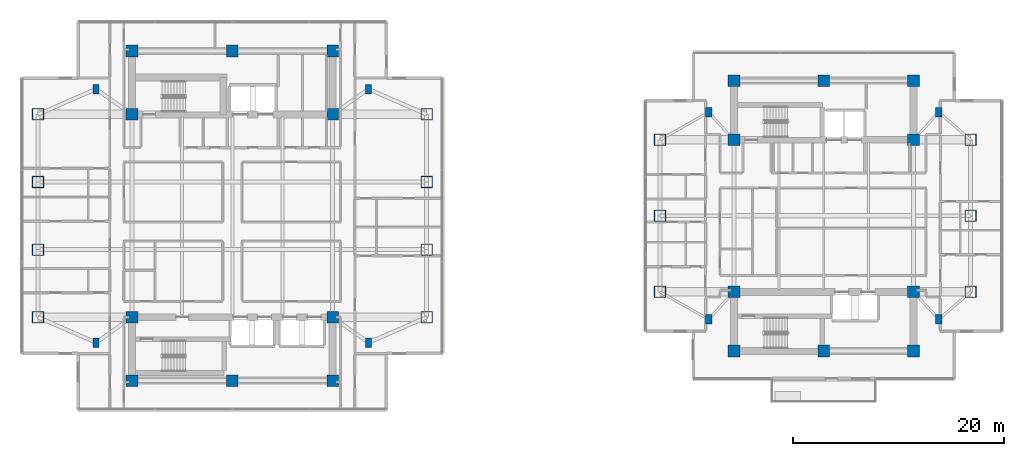
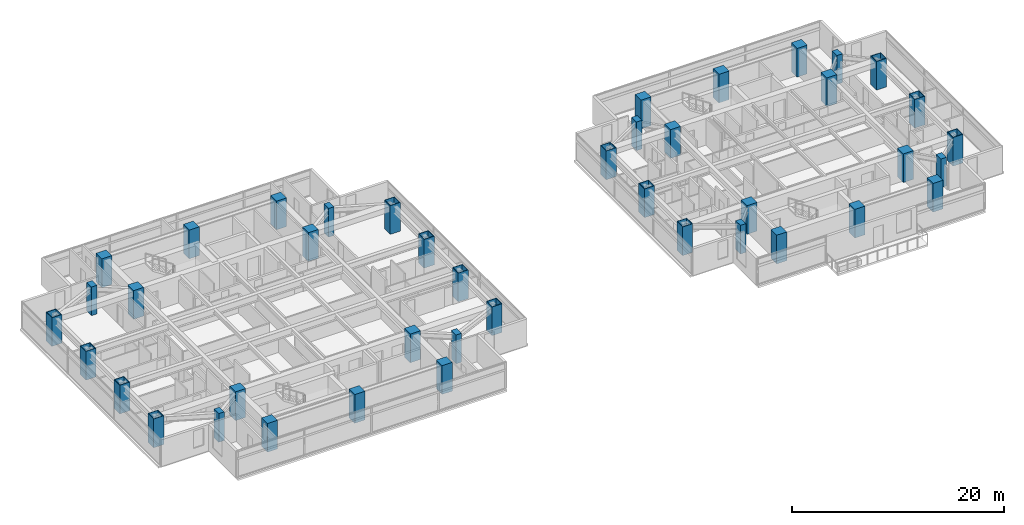
# One storey, part 1 of 24: 42 columns.
"""IFC4 building model written with IfcOpenShell, lengths in metres."""

from ifc_helpers import new_model, si_unit, direction, frame, origin, origin_2d, place, context, subcontext, project, spatial, rectangle, hollow_rectangle, extrude, material, material_profile, profile_set, type_object, element, save


model = new_model("IFC4")

# Units and contexts
model_context = context("Model", 3, precision=1e-05, world=origin(), true_north=direction((0.0, 1.0)))
body_context = subcontext(model_context, "Body", "Model", "MODEL_VIEW")
ifc_project = project(units=[si_unit("LENGTHUNIT", "METRE"), si_unit("AREAUNIT", "SQUARE_METRE"), si_unit("VOLUMEUNIT", "CUBIC_METRE"), si_unit("PLANEANGLEUNIT", "RADIAN"), si_unit("MASSUNIT", "GRAM", prefix="KILO")], contexts=[model_context])

# Site, building, storey
site_placement = place(None, origin())
site = spatial("IfcSite", under=ifc_project, at=site_placement, CompositionType="ELEMENT")
building_placement = place(site_placement, origin())
building = spatial("IfcBuilding", under=site, at=building_placement, Name="Mirazonda Arch Towers", CompositionType="ELEMENT")
storey_placement = place(building_placement, frame((0.0, 0.0, 118.10009765625)))
storey = spatial("IfcBuildingStorey", under=building, at=storey_placement, Name="L33", CompositionType="ELEMENT", Elevation=118.10009765625)

# Columns
ifc_material_1 = material(Name="Concrete C50/60", Category="concrete")
ifc_material_profile_1 = material_profile(ifc_material_1, rectangle(XDim=1.10009765625, YDim=1.10009765625, at=origin_2d()), Name="RC1100x1100")
ifc_profile_set_1 = profile_set([ifc_material_profile_1], Name="Concrete C50/60")
column_type_1 = type_object("IfcColumnType", Name="COL-INT-RC1100x1100", PredefinedType="COLUMN", material=ifc_profile_set_1)
for number, where, z_axis, x_axis, name in (
    (1, (11.0, 12.39990234375, 0.0), (0.0, 0.0, 1.0), (1.0, 0.0, 0.0), "L33 T1 Core Column 01"),
    (2, (20.5, 12.39990234375, 0.0), (0.0, 0.0, 1.0), (1.0, 0.0, 0.0), "L33 T1 Core Column 02"),
    (3, (30.0, 12.39990234375, 0.0), (0.0, 0.0, 1.0), (1.0, 0.0, 0.0), "L33 T1 Core Column 03"),
    (4, (11.0, 18.39990234375, 0.0), (0.0, 0.0, 1.0), (1.0, 0.0, 0.0), "L33 T1 Core Column 04"),
    (5, (30.0, 18.39990234375, 0.0), (0.0, 0.0, 1.0), (1.0, 0.0, 0.0), "L33 T1 Core Column 05"),
    (6, (11.0, 37.60009765625, 0.0), (0.0, 0.0, 1.0), (1.0, 0.0, 0.0), "L33 T1 Core Column 06"),
    (7, (30.0, 37.60009765625, 0.0), (0.0, 0.0, 1.0), (1.0, 0.0, 0.0), "L33 T1 Core Column 07"),
    (8, (11.0, 43.60009765625, 0.0), (0.0, 0.0, 1.0), (1.0, 0.0, 0.0), "L33 T1 Core Column 08"),
    (9, (20.5, 43.60009765625, 0.0), (0.0, 0.0, 1.0), (1.0, 0.0, 0.0), "L33 T1 Core Column 09"),
    (10, (30.0, 43.60009765625, 0.0), (0.0, 0.0, 1.0), (1.0, 0.0, 0.0), "L33 T1 Core Column 10"),
    (11, (68.0, 15.199951171875, 0.0), (0.0, 0.0, 1.0), (1.0, 0.0, 0.0), "L33 T2 Core Column 01"),
    (12, (76.5, 15.199951171875, 0.0), (0.0, 0.0, 1.0), (1.0, 0.0, 0.0), "L33 T2 Core Column 02"),
    (13, (85.0, 15.199951171875, 0.0), (0.0, 0.0, 1.0), (1.0, 0.0, 0.0), "L33 T2 Core Column 03"),
    (14, (68.0, 20.800048828125, 0.0), (0.0, 0.0, 1.0), (1.0, 0.0, 0.0), "L33 T2 Core Column 04"),
    (15, (85.0, 20.800048828125, 0.0), (0.0, 0.0, 1.0), (1.0, 0.0, 0.0), "L33 T2 Core Column 05"),
    (16, (68.0, 35.199951171875, 0.0), (0.0, 0.0, 1.0), (1.0, 0.0, 0.0), "L33 T2 Core Column 06"),
    (17, (85.0, 35.199951171875, 0.0), (0.0, 0.0, 1.0), (1.0, 0.0, 0.0), "L33 T2 Core Column 07"),
    (18, (68.0, 40.800048828125, 0.0), (0.0, 0.0, 1.0), (1.0, 0.0, 0.0), "L33 T2 Core Column 08"),
    (19, (76.5, 40.800048828125, 0.0), (0.0, 0.0, 1.0), (1.0, 0.0, 0.0), "L33 T2 Core Column 09"),
    (20, (85.0, 40.800048828125, 0.0), (0.0, 0.0, 1.0), (1.0, 0.0, 0.0), "L33 T2 Core Column 10"),
):
    element("IfcColumn", number, at=place(storey_placement, frame(where, z_axis=z_axis, x_axis=x_axis)), inside=storey, type_object=column_type_1, Name=name, PredefinedType="COLUMN", context=body_context, shape_type="SweptSolid", body=[
        extrude(rectangle(XDim=1.10009765625, YDim=1.10009765625, at=origin_2d()), origin(), (0.0, 0.0, 1.0), 3.2998046875),
    ])
ifc_material_2 = material(Name="Steel ASTM A572 Grade 50", Category="steel")
ifc_material_profile_2 = material_profile(ifc_material_2, hollow_rectangle(XDim=1.10009765625, YDim=1.10009765625, WallThickness=0.06005859375, at=origin_2d()), Name="BOX1100x1100x60")
ifc_profile_set_2 = profile_set([ifc_material_profile_2], Name="Steel ASTM A572 Grade 50")
column_type_2 = type_object("IfcColumnType", Name="MCOL-EXT-BOX1100x1100x60", PredefinedType="COLUMN", material=ifc_profile_set_2)
for number, where, z_axis, x_axis, name in (
    (21, (2.10009765625, 18.39990234375, 0.0), (0.0, 0.0, 1.0), (1.0, 0.0, 0.0), "L33 T1 Composite Mega-Column 01"),
    (22, (2.10009765625, 24.800048828125, 0.0), (0.0, 0.0, 1.0), (1.0, 0.0, 0.0), "L33 T1 Composite Mega-Column 02"),
    (23, (2.10009765625, 31.199951171875, 0.0), (0.0, 0.0, 1.0), (1.0, 0.0, 0.0), "L33 T1 Composite Mega-Column 03"),
    (24, (2.10009765625, 37.60009765625, 0.0), (0.0, 0.0, 1.0), (1.0, 0.0, 0.0), "L33 T1 Composite Mega-Column 04"),
    (25, (38.89990234375, 18.39990234375, 0.0), (0.0, 0.0, 1.0), (1.0, 0.0, 0.0), "L33 T1 Composite Mega-Column 05"),
    (26, (38.89990234375, 24.800048828125, 0.0), (0.0, 0.0, 1.0), (1.0, 0.0, 0.0), "L33 T1 Composite Mega-Column 06"),
    (27, (38.89990234375, 31.199951171875, 0.0), (0.0, 0.0, 1.0), (1.0, 0.0, 0.0), "L33 T1 Composite Mega-Column 07"),
    (28, (38.89990234375, 37.60009765625, 0.0), (0.0, 0.0, 1.0), (1.0, 0.0, 0.0), "L33 T1 Composite Mega-Column 08"),
    (29, (61.0, 20.800048828125, 0.0), (0.0, 0.0, 1.0), (1.0, 0.0, 0.0), "L33 T2 Composite Mega-Column 01"),
    (30, (61.0, 28.0, 0.0), (0.0, 0.0, 1.0), (1.0, 0.0, 0.0), "L33 T2 Composite Mega-Column 02"),
    (31, (61.0, 35.199951171875, 0.0), (0.0, 0.0, 1.0), (1.0, 0.0, 0.0), "L33 T2 Composite Mega-Column 03"),
    (32, (90.39990234375, 20.800048828125, 0.0), (0.0, 0.0, 1.0), (1.0, 0.0, 0.0), "L33 T2 Composite Mega-Column 04"),
    (33, (90.39990234375, 28.0, 0.0), (0.0, 0.0, 1.0), (1.0, 0.0, 0.0), "L33 T2 Composite Mega-Column 05"),
    (34, (90.39990234375, 35.199951171875, 0.0), (0.0, 0.0, 1.0), (1.0, 0.0, 0.0), "L33 T2 Composite Mega-Column 06"),
):
    element("IfcColumn", number, at=place(storey_placement, frame(where, z_axis=z_axis, x_axis=x_axis)), inside=storey, type_object=column_type_2, Name=name, PredefinedType="COLUMN", context=body_context, shape_type="SweptSolid", body=[
        extrude(hollow_rectangle(XDim=1.10009765625, YDim=1.10009765625, WallThickness=0.06005859375, at=origin_2d()), origin(), (0.0, 0.0, 1.0), 3.2998046875),
    ])
ifc_material_profile_3 = material_profile(ifc_material_1, rectangle(XDim=0.60009765625, YDim=0.89990234375, at=origin_2d()), Name="RC900x600")
ifc_profile_set_3 = profile_set([ifc_material_profile_3], Name="Concrete C50/60")
column_type_3 = type_object("IfcColumnType", Name="PIL-EXT-RC900x600", PredefinedType="PILASTER", material=ifc_profile_set_3)
for number, where, z_axis, x_axis, name in (
    (35, (7.60009765625, 16.0, 0.0), (0.0, 0.0, 1.0), (1.0, 0.0, 0.0), "L33 T1 Corner Pilaster 01"),
    (36, (33.39990234375, 16.0, 0.0), (0.0, 0.0, 1.0), (1.0, 0.0, 0.0), "L33 T1 Corner Pilaster 02"),
    (37, (7.60009765625, 40.0, 0.0), (0.0, 0.0, 1.0), (1.0, 0.0, 0.0), "L33 T1 Corner Pilaster 03"),
    (38, (33.39990234375, 40.0, 0.0), (0.0, 0.0, 1.0), (1.0, 0.0, 0.0), "L33 T1 Corner Pilaster 04"),
    (39, (65.60009765625, 18.199951171875, 0.0), (0.0, 0.0, 1.0), (1.0, 0.0, 0.0), "L33 T2 Corner Pilaster 01"),
    (40, (87.39990234375, 18.199951171875, 0.0), (0.0, 0.0, 1.0), (1.0, 0.0, 0.0), "L33 T2 Corner Pilaster 02"),
    (41, (65.60009765625, 37.800048828125, 0.0), (0.0, 0.0, 1.0), (1.0, 0.0, 0.0), "L33 T2 Corner Pilaster 03"),
    (42, (87.39990234375, 37.800048828125, 0.0), (0.0, 0.0, 1.0), (1.0, 0.0, 0.0), "L33 T2 Corner Pilaster 04"),
):
    element("IfcColumn", number, at=place(storey_placement, frame(where, z_axis=z_axis, x_axis=x_axis)), inside=storey, type_object=column_type_3, Name=name, PredefinedType="PILASTER", context=body_context, shape_type="SweptSolid", body=[
        extrude(rectangle(XDim=0.60009765625, YDim=0.89990234375, at=origin_2d()), origin(), (0.0, 0.0, 1.0), 3.2998046875),
    ])

save(model, "model.ifc")
